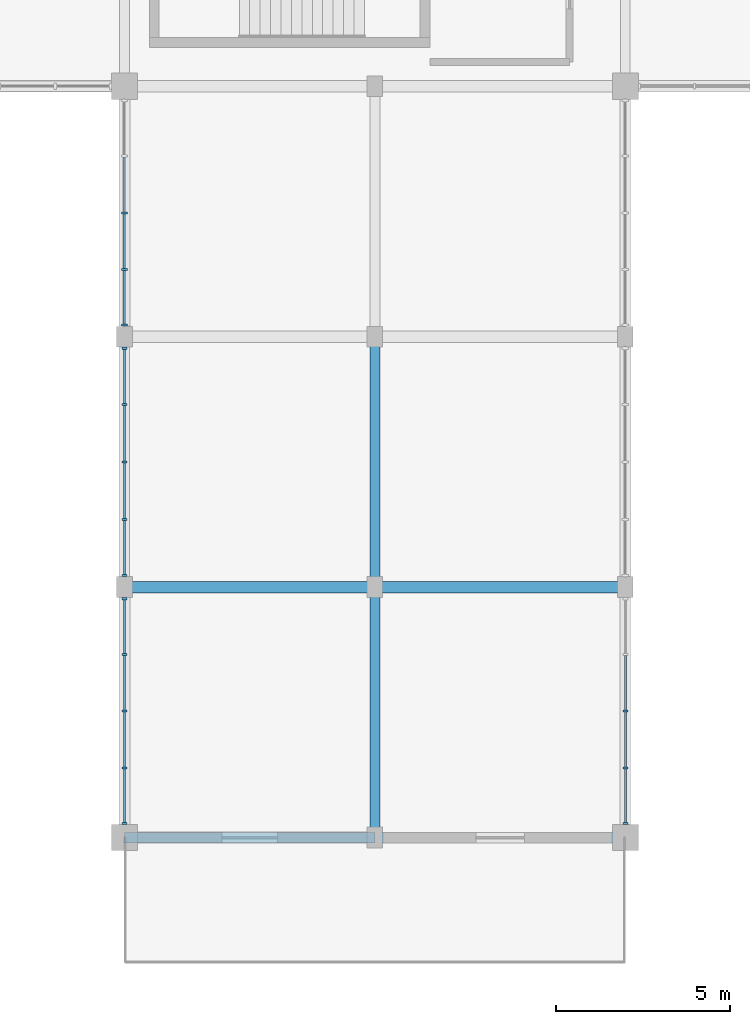
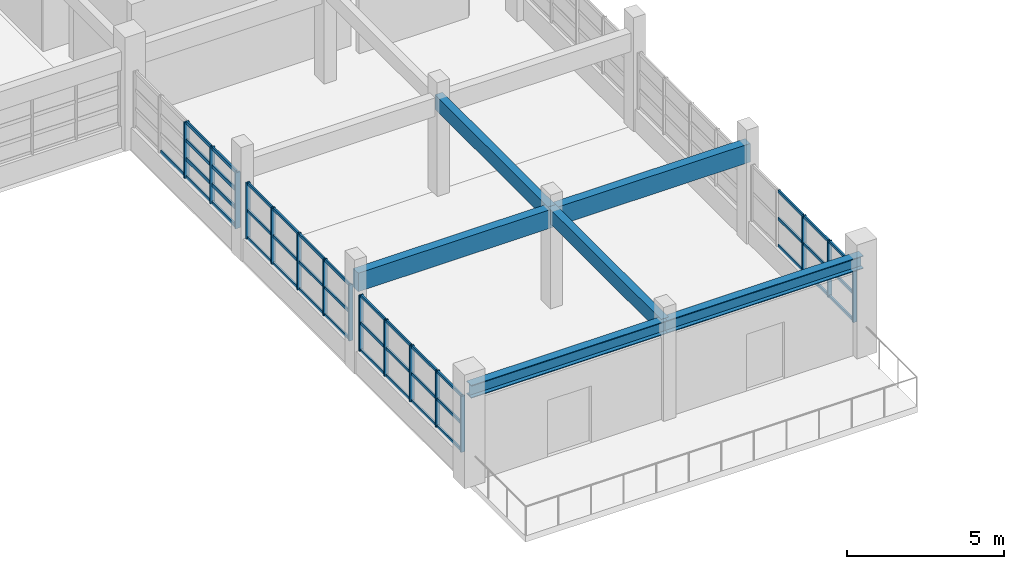
# One storey, part 19 of 69: 58 members, 6 beams, 4 elements without a shape of their own.
"""IFC4 building model written with IfcOpenShell, lengths in metres."""

from ifc_helpers import new_model, si_unit, direction, frame, origin, origin_2d, place, context, subcontext, project, spatial, rectangle, i_section, extrude, material, material_profile, profile_set, type_object, element, aggregate, save


model = new_model("IFC4")

# Units and contexts
model_context = context("Model", 3, precision=1e-05, world=origin(), true_north=direction((0.0, 1.0)))
body_context = subcontext(model_context, "Body", "Model", "MODEL_VIEW")
ifc_project = project(units=[si_unit("LENGTHUNIT", "METRE"), si_unit("AREAUNIT", "SQUARE_METRE"), si_unit("VOLUMEUNIT", "CUBIC_METRE"), si_unit("PLANEANGLEUNIT", "RADIAN"), si_unit("MASSUNIT", "GRAM", prefix="KILO")], contexts=[model_context])

# Site, building, storey
site_placement = place(None, origin())
site = spatial("IfcSite", under=ifc_project, at=site_placement, CompositionType="ELEMENT")
building_placement = place(site_placement, origin())
building = spatial("IfcBuilding", under=site, at=building_placement, Name="Nzembalo Square Collegiate School", CompositionType="ELEMENT")
storey_placement = place(building_placement, frame((0.0, 0.0, 5.10009765625)))
storey = spatial("IfcBuildingStorey", under=building, at=storey_placement, Name="L01", CompositionType="ELEMENT", Elevation=5.10009765625)

# Beams
ifc_material_1 = material(Name="Glulam GL32h", Category="wood")
ifc_material_profile_1 = material_profile(ifc_material_1, rectangle(XDim=0.320068359375, YDim=0.719970703125, at=origin_2d()), Name="GL32h 320x720")
ifc_profile_set_1 = profile_set([ifc_material_profile_1], Name="Glulam GL32h")
beam_type_1 = type_object("IfcBeamType", Name="B03", PredefinedType="BEAM", material=ifc_profile_set_1)
for number, where, z_axis, x_axis, name in (
    (1, (76.800048828125, 90.0, 3.389892578125), (1.0, 0.0, 0.0), (0.0, 1.0, 0.0), "Beam B03 L01"),
    (2, (84.0, 90.0, 3.389892578125), (1.0, 0.0, 0.0), (0.0, 1.0, 0.0), "Beam B03 L01"),
):
    element("IfcBeam", number, at=place(storey_placement, frame(where, z_axis=z_axis, x_axis=x_axis)), inside=storey, type_object=beam_type_1, Name=name, PredefinedType="BEAM", context=body_context, shape_type="SweptSolid", body=[
        extrude(rectangle(XDim=0.320068359375, YDim=0.719970703125, at=origin_2d()), origin(), (0.0, 0.0, 1.0), 7.199951171875),
    ])
ifc_material_2 = material(Name="Glulam GL28h", Category="wood")
ifc_material_profile_2 = material_profile(ifc_material_2, rectangle(XDim=0.280029296875, YDim=0.56005859375, at=origin_2d()), Name="GL28h 280x560")
ifc_profile_set_2 = profile_set([ifc_material_profile_2], Name="Glulam GL28h")
beam_type_2 = type_object("IfcBeamType", Name="B05", PredefinedType="BEAM", material=ifc_profile_set_2)
for number, where, z_axis, x_axis, name in (
    (3, (84.0, 82.800048828125, 3.469970703125), (0.0, 1.0, 0.0), (-1.0, 0.0, 0.0), "Beam B05 L01"),
    (4, (84.0, 90.0, 3.469970703125), (0.0, 1.0, 0.0), (-1.0, 0.0, 0.0), "Beam B05 L01"),
):
    element("IfcBeam", number, at=place(storey_placement, frame(where, z_axis=z_axis, x_axis=x_axis)), inside=storey, type_object=beam_type_2, Name=name, PredefinedType="BEAM", context=body_context, shape_type="SweptSolid", body=[
        extrude(rectangle(XDim=0.280029296875, YDim=0.56005859375, at=origin_2d()), origin(), (0.0, 0.0, 1.0), 7.199951171875),
    ])
ifc_material_3 = material(Name="Steel S355", Category="steel")
ifc_material_profile_3 = material_profile(ifc_material_3, i_section(OverallWidth=0.300048828125, OverallDepth=0.5, WebThickness=0.014404296875, FlangeThickness=0.028076171875, at=origin_2d()), Name="HEB 500")
ifc_profile_set_3 = profile_set([ifc_material_profile_3], Name="Steel S355")
beam_type_3 = type_object("IfcBeamType", Name="B07", PredefinedType="BEAM", material=ifc_profile_set_3)
for number, where, z_axis, x_axis, name in (
    (5, (76.800048828125, 82.800048828125, 3.5), (1.0, 0.0, 0.0), (0.0, 1.0, 0.0), "Beam B07 L01"),
    (6, (84.0, 82.800048828125, 3.5), (1.0, 0.0, 0.0), (0.0, 1.0, 0.0), "Beam B07 L01"),
):
    element("IfcBeam", number, at=place(storey_placement, frame(where, z_axis=z_axis, x_axis=x_axis)), inside=storey, type_object=beam_type_3, Name=name, PredefinedType="BEAM", context=body_context, shape_type="SweptSolid", body=[
        extrude(i_section(OverallWidth=0.300048828125, OverallDepth=0.5, WebThickness=0.014404296875, FlangeThickness=0.028076171875, at=origin_2d()), origin(), (0.0, 0.0, 1.0), 7.199951171875),
    ])

# Curtain wall, members
ifc_material_4 = material(Name="Aluminium 6060-T66", Category="aluminium")
curtain_wall_type_1 = type_object("IfcCurtainWallType", Name="CW-05", PredefinedType="USERDEFINED", material=ifc_material_4)
curtain_wall_1_placement = place(storey_placement, origin())
curtain_wall_1 = element("IfcCurtainWall", 7, at=curtain_wall_1_placement, inside=storey, type_object=curtain_wall_type_1, Name="Curtain wall CW-05 cw:L01:084", ObjectType="LANCET", PredefinedType="USERDEFINED")
ifc_material_5 = material(Name="Aluminium 6060-T66", Category="aluminium")
ifc_material_profile_4 = material_profile(ifc_material_5, rectangle(XDim=0.06005859375, YDim=0.179931640625, at=origin_2d()), Name="ALU M60x180")
ifc_profile_set_4 = profile_set([ifc_material_profile_4], Name="Aluminium 6060-T66")
member_type_1 = type_object("IfcMemberType", Name="ML01", PredefinedType="MULLION", material=ifc_profile_set_4)
member_1_placement = place(storey_placement, frame((76.800048828125, 97.531982421875, 0.849853515625), z_axis=(0.0, 0.0, 1.0), x_axis=(0.0, 1.0, 0.0)))
member_1 = element("IfcMember", 8, at=member_1_placement, type_object=member_type_1, Name="ML01 mullion 1", PredefinedType="MULLION", context=body_context, shape_type="SweptSolid", body=[
    extrude(rectangle(XDim=0.06005859375, YDim=0.179931640625, at=origin_2d()), origin(), (0.0, 0.0, 1.0), 2.174072265625),
])
member_2_placement = place(storey_placement, frame((76.800048828125, 99.13232421875, 0.849853515625), z_axis=(0.0, 0.0, 1.0), x_axis=(0.0, 1.0, 0.0)))
member_2 = element("IfcMember", 9, at=member_2_placement, type_object=member_type_1, Name="ML01 mullion 2", PredefinedType="MULLION", context=body_context, shape_type="SweptSolid", body=[
    extrude(rectangle(XDim=0.06005859375, YDim=0.179931640625, at=origin_2d()), origin(), (0.0, 0.0, 1.0), 2.174072265625),
])
member_3_placement = place(storey_placement, frame((76.800048828125, 100.762451171875, 0.849853515625), z_axis=(0.0, 0.0, 1.0), x_axis=(0.0, 1.0, 0.0)))
member_3 = element("IfcMember", 10, at=member_3_placement, type_object=member_type_1, Name="ML01 mullion 3", PredefinedType="MULLION", context=body_context, shape_type="SweptSolid", body=[
    extrude(rectangle(XDim=0.06005859375, YDim=0.179931640625, at=origin_2d()), origin(), (0.0, 0.0, 1.0), 2.174072265625),
])

ifc_material_6 = material(Name="Aluminium 6060-T66", Category="aluminium")
curtain_wall_type_2 = type_object("IfcCurtainWallType", Name="CW-08", PredefinedType="USERDEFINED", material=ifc_material_6)
curtain_wall_2_placement = place(storey_placement, origin())
curtain_wall_2 = element("IfcCurtainWall", 11, at=curtain_wall_2_placement, inside=storey, type_object=curtain_wall_type_2, Name="Curtain wall CW-08 cw:L01:079", ObjectType="LANCET", PredefinedType="USERDEFINED")
ifc_material_7 = material(Name="Aluminium 6060-T66", Category="aluminium")
ifc_material_profile_5 = material_profile(ifc_material_7, rectangle(XDim=0.06005859375, YDim=0.14990234375, at=origin_2d()), Name="ALU M60x150")
ifc_profile_set_5 = profile_set([ifc_material_profile_5], Name="Aluminium 6060-T66")
member_type_2 = type_object("IfcMemberType", Name="ML02", PredefinedType="MULLION", material=ifc_profile_set_5)
member_4_placement = place(storey_placement, frame((91.199951171875, 83.20703125, 0.849853515625), z_axis=(0.0, 0.0, 1.0), x_axis=(0.0, 1.0, 0.0)))
member_4 = element("IfcMember", 12, at=member_4_placement, type_object=member_type_2, Name="ML02 mullion 1", PredefinedType="MULLION", context=body_context, shape_type="SweptSolid", body=[
    extrude(rectangle(XDim=0.06005859375, YDim=0.14990234375, at=origin_2d()), origin(), (0.0, 0.0, 1.0), 2.174072265625),
])
member_5_placement = place(storey_placement, frame((91.199951171875, 84.80712890625, 0.849853515625), z_axis=(0.0, 0.0, 1.0), x_axis=(0.0, 1.0, 0.0)))
member_5 = element("IfcMember", 13, at=member_5_placement, type_object=member_type_2, Name="ML02 mullion 2", PredefinedType="MULLION", context=body_context, shape_type="SweptSolid", body=[
    extrude(rectangle(XDim=0.06005859375, YDim=0.14990234375, at=origin_2d()), origin(), (0.0, 0.0, 1.0), 2.174072265625),
])
member_6_placement = place(storey_placement, frame((91.199951171875, 86.4375, 0.849853515625), z_axis=(0.0, 0.0, 1.0), x_axis=(0.0, 1.0, 0.0)))
member_6 = element("IfcMember", 14, at=member_6_placement, type_object=member_type_2, Name="ML02 mullion 3", PredefinedType="MULLION", context=body_context, shape_type="SweptSolid", body=[
    extrude(rectangle(XDim=0.06005859375, YDim=0.14990234375, at=origin_2d()), origin(), (0.0, 0.0, 1.0), 2.174072265625),
])

ifc_material_8 = material(Name="Aluminium 6060-T66", Category="aluminium")
curtain_wall_type_3 = type_object("IfcCurtainWallType", Name="CW-03", PredefinedType="USERDEFINED", material=ifc_material_8)
curtain_wall_3_placement = place(storey_placement, origin())
curtain_wall_3 = element("IfcCurtainWall", 15, at=curtain_wall_3_placement, inside=storey, type_object=curtain_wall_type_3, Name="Curtain wall CW-03 cw:L01:082", ObjectType="UNITISED", PredefinedType="USERDEFINED")
member_7_placement = place(storey_placement, frame((76.800048828125, 83.20703125, 0.849853515625), z_axis=(0.0, 0.0, 1.0), x_axis=(0.0, 1.0, 0.0)))
member_7 = element("IfcMember", 16, at=member_7_placement, type_object=member_type_2, Name="ML02 mullion 1", PredefinedType="MULLION", context=body_context, shape_type="SweptSolid", body=[
    extrude(rectangle(XDim=0.06005859375, YDim=0.14990234375, at=origin_2d()), origin(), (0.0, 0.0, 1.0), 2.174072265625),
])
member_8_placement = place(storey_placement, frame((76.800048828125, 84.80712890625, 0.849853515625), z_axis=(0.0, 0.0, 1.0), x_axis=(0.0, 1.0, 0.0)))
member_8 = element("IfcMember", 17, at=member_8_placement, type_object=member_type_2, Name="ML02 mullion 2", PredefinedType="MULLION", context=body_context, shape_type="SweptSolid", body=[
    extrude(rectangle(XDim=0.06005859375, YDim=0.14990234375, at=origin_2d()), origin(), (0.0, 0.0, 1.0), 2.174072265625),
])
member_9_placement = place(storey_placement, frame((76.800048828125, 86.4375, 0.849853515625), z_axis=(0.0, 0.0, 1.0), x_axis=(0.0, 1.0, 0.0)))
member_9 = element("IfcMember", 18, at=member_9_placement, type_object=member_type_2, Name="ML02 mullion 3", PredefinedType="MULLION", context=body_context, shape_type="SweptSolid", body=[
    extrude(rectangle(XDim=0.06005859375, YDim=0.14990234375, at=origin_2d()), origin(), (0.0, 0.0, 1.0), 2.174072265625),
])
member_10_placement = place(storey_placement, frame((76.800048828125, 88.06787109375, 0.849853515625), z_axis=(0.0, 0.0, 1.0), x_axis=(0.0, 1.0, 0.0)))
member_10 = element("IfcMember", 19, at=member_10_placement, type_object=member_type_2, Name="ML02 mullion 4", PredefinedType="MULLION", context=body_context, shape_type="SweptSolid", body=[
    extrude(rectangle(XDim=0.06005859375, YDim=0.14990234375, at=origin_2d()), origin(), (0.0, 0.0, 1.0), 2.174072265625),
])
member_11_placement = place(storey_placement, frame((76.800048828125, 89.66796875, 0.849853515625), z_axis=(0.0, 0.0, 1.0), x_axis=(0.0, 1.0, 0.0)))
member_11 = element("IfcMember", 20, at=member_11_placement, type_object=member_type_2, Name="ML02 mullion 5", PredefinedType="MULLION", context=body_context, shape_type="SweptSolid", body=[
    extrude(rectangle(XDim=0.06005859375, YDim=0.14990234375, at=origin_2d()), origin(), (0.0, 0.0, 1.0), 2.174072265625),
])

ifc_material_9 = material(Name="Aluminium 6060-T66", Category="aluminium")
curtain_wall_type_4 = type_object("IfcCurtainWallType", Name="CW-04", PredefinedType="USERDEFINED", material=ifc_material_9)
curtain_wall_4_placement = place(storey_placement, origin())
curtain_wall_4 = element("IfcCurtainWall", 21, at=curtain_wall_4_placement, inside=storey, type_object=curtain_wall_type_4, Name="Curtain wall CW-04 cw:L01:083", ObjectType="UNITISED", PredefinedType="USERDEFINED")
member_12_placement = place(storey_placement, frame((76.800048828125, 90.33203125, 0.849853515625), z_axis=(0.0, 0.0, 1.0), x_axis=(0.0, 1.0, 0.0)))
member_12 = element("IfcMember", 22, at=member_12_placement, type_object=member_type_2, Name="ML02 mullion 1", PredefinedType="MULLION", context=body_context, shape_type="SweptSolid", body=[
    extrude(rectangle(XDim=0.06005859375, YDim=0.14990234375, at=origin_2d()), origin(), (0.0, 0.0, 1.0), 2.174072265625),
])
member_13_placement = place(storey_placement, frame((76.800048828125, 91.950927734375, 0.849853515625), z_axis=(0.0, 0.0, 1.0), x_axis=(0.0, 1.0, 0.0)))
member_13 = element("IfcMember", 23, at=member_13_placement, type_object=member_type_2, Name="ML02 mullion 2", PredefinedType="MULLION", context=body_context, shape_type="SweptSolid", body=[
    extrude(rectangle(XDim=0.06005859375, YDim=0.14990234375, at=origin_2d()), origin(), (0.0, 0.0, 1.0), 2.174072265625),
])
member_14_placement = place(storey_placement, frame((76.800048828125, 93.60009765625, 0.849853515625), z_axis=(0.0, 0.0, 1.0), x_axis=(0.0, 1.0, 0.0)))
member_14 = element("IfcMember", 24, at=member_14_placement, type_object=member_type_2, Name="ML02 mullion 3", PredefinedType="MULLION", context=body_context, shape_type="SweptSolid", body=[
    extrude(rectangle(XDim=0.06005859375, YDim=0.14990234375, at=origin_2d()), origin(), (0.0, 0.0, 1.0), 2.174072265625),
])
member_15_placement = place(storey_placement, frame((76.800048828125, 95.2490234375, 0.849853515625), z_axis=(0.0, 0.0, 1.0), x_axis=(0.0, 1.0, 0.0)))
member_15 = element("IfcMember", 25, at=member_15_placement, type_object=member_type_2, Name="ML02 mullion 4", PredefinedType="MULLION", context=body_context, shape_type="SweptSolid", body=[
    extrude(rectangle(XDim=0.06005859375, YDim=0.14990234375, at=origin_2d()), origin(), (0.0, 0.0, 1.0), 2.174072265625),
])
member_16_placement = place(storey_placement, frame((76.800048828125, 96.867919921875, 0.849853515625), z_axis=(0.0, 0.0, 1.0), x_axis=(0.0, 1.0, 0.0)))
member_16 = element("IfcMember", 26, at=member_16_placement, type_object=member_type_2, Name="ML02 mullion 5", PredefinedType="MULLION", context=body_context, shape_type="SweptSolid", body=[
    extrude(rectangle(XDim=0.06005859375, YDim=0.14990234375, at=origin_2d()), origin(), (0.0, 0.0, 1.0), 2.174072265625),
])

# Member
ifc_material_10 = material(Name="Aluminium 6060-T66", Category="aluminium")
ifc_material_profile_6 = material_profile(ifc_material_10, rectangle(XDim=0.06005859375, YDim=0.139892578125, at=origin_2d()), Name="ALU T60x140")
ifc_profile_set_6 = profile_set([ifc_material_profile_6], Name="Aluminium 6060-T66")
member_type_3 = type_object("IfcMemberType", Name="TR01", PredefinedType="USERDEFINED", material=ifc_profile_set_6)
member_17_placement = place(storey_placement, frame((76.800048828125, 97.56201171875, 0.8798828125), z_axis=(0.0, 1.0, 0.0), x_axis=(-1.0, 0.0, 0.0)))
member_17 = element("IfcMember", 27, at=member_17_placement, type_object=member_type_3, Name="TR01 transom 1-1", ObjectType="TRANSOM", PredefinedType="USERDEFINED", context=body_context, shape_type="SweptSolid", body=[
    extrude(rectangle(XDim=0.06005859375, YDim=0.139892578125, at=origin_2d()), origin(), (0.0, 0.0, 1.0), 1.540283203125),
])

member_18_placement = place(storey_placement, frame((76.800048828125, 99.162353515625, 0.8798828125), z_axis=(0.0, 1.0, 0.0), x_axis=(-1.0, 0.0, 0.0)))
member_18 = element("IfcMember", 28, at=member_18_placement, type_object=member_type_3, Name="TR01 transom 1-2", ObjectType="TRANSOM", PredefinedType="USERDEFINED", context=body_context, shape_type="SweptSolid", body=[
    extrude(rectangle(XDim=0.06005859375, YDim=0.139892578125, at=origin_2d()), origin(), (0.0, 0.0, 1.0), 1.570068359375),
])

member_19_placement = place(storey_placement, frame((76.800048828125, 100.79248046875, 0.8798828125), z_axis=(0.0, 1.0, 0.0), x_axis=(-1.0, 0.0, 0.0)))
member_19 = element("IfcMember", 29, at=member_19_placement, type_object=member_type_3, Name="TR01 transom 1-3", ObjectType="TRANSOM", PredefinedType="USERDEFINED", context=body_context, shape_type="SweptSolid", body=[
    extrude(rectangle(XDim=0.06005859375, YDim=0.139892578125, at=origin_2d()), origin(), (0.0, 0.0, 1.0), 1.5703125),
])

member_20_placement = place(storey_placement, frame((76.800048828125, 97.56201171875, 1.574462890625), z_axis=(0.0, 1.0, 0.0), x_axis=(-1.0, 0.0, 0.0)))
member_20 = element("IfcMember", 30, at=member_20_placement, type_object=member_type_3, Name="TR01 transom 2-1", ObjectType="TRANSOM", PredefinedType="USERDEFINED", context=body_context, shape_type="SweptSolid", body=[
    extrude(rectangle(XDim=0.06005859375, YDim=0.139892578125, at=origin_2d()), origin(), (0.0, 0.0, 1.0), 1.540283203125),
])

member_21_placement = place(storey_placement, frame((76.800048828125, 99.162353515625, 1.574462890625), z_axis=(0.0, 1.0, 0.0), x_axis=(-1.0, 0.0, 0.0)))
member_21 = element("IfcMember", 31, at=member_21_placement, type_object=member_type_3, Name="TR01 transom 2-2", ObjectType="TRANSOM", PredefinedType="USERDEFINED", context=body_context, shape_type="SweptSolid", body=[
    extrude(rectangle(XDim=0.06005859375, YDim=0.139892578125, at=origin_2d()), origin(), (0.0, 0.0, 1.0), 1.570068359375),
])

member_22_placement = place(storey_placement, frame((76.800048828125, 97.56201171875, 2.29931640625), z_axis=(0.0, 1.0, 0.0), x_axis=(-1.0, 0.0, 0.0)))
member_22 = element("IfcMember", 32, at=member_22_placement, type_object=member_type_3, Name="TR01 transom 3-1", ObjectType="TRANSOM", PredefinedType="USERDEFINED", context=body_context, shape_type="SweptSolid", body=[
    extrude(rectangle(XDim=0.06005859375, YDim=0.139892578125, at=origin_2d()), origin(), (0.0, 0.0, 1.0), 1.540283203125),
])

member_23_placement = place(storey_placement, frame((76.800048828125, 99.162353515625, 2.29931640625), z_axis=(0.0, 1.0, 0.0), x_axis=(-1.0, 0.0, 0.0)))
member_23 = element("IfcMember", 33, at=member_23_placement, type_object=member_type_3, Name="TR01 transom 3-2", ObjectType="TRANSOM", PredefinedType="USERDEFINED", context=body_context, shape_type="SweptSolid", body=[
    extrude(rectangle(XDim=0.06005859375, YDim=0.139892578125, at=origin_2d()), origin(), (0.0, 0.0, 1.0), 1.570068359375),
])

member_24_placement = place(storey_placement, frame((76.800048828125, 97.56201171875, 2.993896484375), z_axis=(0.0, 1.0, 0.0), x_axis=(-1.0, 0.0, 0.0)))
member_24 = element("IfcMember", 34, at=member_24_placement, type_object=member_type_3, Name="TR01 transom 4-1", ObjectType="TRANSOM", PredefinedType="USERDEFINED", context=body_context, shape_type="SweptSolid", body=[
    extrude(rectangle(XDim=0.06005859375, YDim=0.139892578125, at=origin_2d()), origin(), (0.0, 0.0, 1.0), 1.540283203125),
])

member_25_placement = place(storey_placement, frame((76.800048828125, 99.162353515625, 2.993896484375), z_axis=(0.0, 1.0, 0.0), x_axis=(-1.0, 0.0, 0.0)))
member_25 = element("IfcMember", 35, at=member_25_placement, type_object=member_type_3, Name="TR01 transom 4-2", ObjectType="TRANSOM", PredefinedType="USERDEFINED", context=body_context, shape_type="SweptSolid", body=[
    extrude(rectangle(XDim=0.06005859375, YDim=0.139892578125, at=origin_2d()), origin(), (0.0, 0.0, 1.0), 1.570068359375),
])

aggregate(curtain_wall_1, [member_1, member_2, member_3, member_17, member_18, member_19, member_20, member_21, member_22, member_23, member_24, member_25])

ifc_material_11 = material(Name="Aluminium 6060-T66", Category="aluminium")
ifc_material_profile_7 = material_profile(ifc_material_11, rectangle(XDim=0.06005859375, YDim=0.110107421875, at=origin_2d()), Name="ALU T60x110")
ifc_profile_set_7 = profile_set([ifc_material_profile_7], Name="Aluminium 6060-T66")
member_type_4 = type_object("IfcMemberType", Name="TR02", PredefinedType="USERDEFINED", material=ifc_profile_set_7)
member_26_placement = place(storey_placement, frame((91.199951171875, 83.237060546875, 0.8798828125), z_axis=(0.0, 1.0, 0.0), x_axis=(-1.0, 0.0, 0.0)))
member_26 = element("IfcMember", 36, at=member_26_placement, type_object=member_type_4, Name="TR02 transom 1-1", ObjectType="TRANSOM", PredefinedType="USERDEFINED", context=body_context, shape_type="SweptSolid", body=[
    extrude(rectangle(XDim=0.06005859375, YDim=0.110107421875, at=origin_2d()), origin(), (0.0, 0.0, 1.0), 1.540283203125),
])

member_27_placement = place(storey_placement, frame((91.199951171875, 84.837158203125, 0.8798828125), z_axis=(0.0, 1.0, 0.0), x_axis=(-1.0, 0.0, 0.0)))
member_27 = element("IfcMember", 37, at=member_27_placement, type_object=member_type_4, Name="TR02 transom 1-2", ObjectType="TRANSOM", PredefinedType="USERDEFINED", context=body_context, shape_type="SweptSolid", body=[
    extrude(rectangle(XDim=0.06005859375, YDim=0.110107421875, at=origin_2d()), origin(), (0.0, 0.0, 1.0), 1.5703125),
])

member_28_placement = place(storey_placement, frame((91.199951171875, 86.467529296875, 0.8798828125), z_axis=(0.0, 1.0, 0.0), x_axis=(-1.0, 0.0, 0.0)))
member_28 = element("IfcMember", 38, at=member_28_placement, type_object=member_type_4, Name="TR02 transom 1-3", ObjectType="TRANSOM", PredefinedType="USERDEFINED", context=body_context, shape_type="SweptSolid", body=[
    extrude(rectangle(XDim=0.06005859375, YDim=0.110107421875, at=origin_2d()), origin(), (0.0, 0.0, 1.0), 1.5703125),
])

member_29_placement = place(storey_placement, frame((91.199951171875, 83.237060546875, 1.93701171875), z_axis=(0.0, 1.0, 0.0), x_axis=(-1.0, 0.0, 0.0)))
member_29 = element("IfcMember", 39, at=member_29_placement, type_object=member_type_4, Name="TR02 transom 2-1", ObjectType="TRANSOM", PredefinedType="USERDEFINED", context=body_context, shape_type="SweptSolid", body=[
    extrude(rectangle(XDim=0.06005859375, YDim=0.110107421875, at=origin_2d()), origin(), (0.0, 0.0, 1.0), 1.540283203125),
])

member_30_placement = place(storey_placement, frame((91.199951171875, 84.837158203125, 1.93701171875), z_axis=(0.0, 1.0, 0.0), x_axis=(-1.0, 0.0, 0.0)))
member_30 = element("IfcMember", 40, at=member_30_placement, type_object=member_type_4, Name="TR02 transom 2-2", ObjectType="TRANSOM", PredefinedType="USERDEFINED", context=body_context, shape_type="SweptSolid", body=[
    extrude(rectangle(XDim=0.06005859375, YDim=0.110107421875, at=origin_2d()), origin(), (0.0, 0.0, 1.0), 1.5703125),
])

member_31_placement = place(storey_placement, frame((91.199951171875, 86.467529296875, 1.93701171875), z_axis=(0.0, 1.0, 0.0), x_axis=(-1.0, 0.0, 0.0)))
member_31 = element("IfcMember", 41, at=member_31_placement, type_object=member_type_4, Name="TR02 transom 2-3", ObjectType="TRANSOM", PredefinedType="USERDEFINED", context=body_context, shape_type="SweptSolid", body=[
    extrude(rectangle(XDim=0.06005859375, YDim=0.110107421875, at=origin_2d()), origin(), (0.0, 0.0, 1.0), 1.5703125),
])

member_32_placement = place(storey_placement, frame((91.199951171875, 83.237060546875, 2.993896484375), z_axis=(0.0, 1.0, 0.0), x_axis=(-1.0, 0.0, 0.0)))
member_32 = element("IfcMember", 42, at=member_32_placement, type_object=member_type_4, Name="TR02 transom 3-1", ObjectType="TRANSOM", PredefinedType="USERDEFINED", context=body_context, shape_type="SweptSolid", body=[
    extrude(rectangle(XDim=0.06005859375, YDim=0.110107421875, at=origin_2d()), origin(), (0.0, 0.0, 1.0), 1.540283203125),
])

member_33_placement = place(storey_placement, frame((91.199951171875, 84.837158203125, 2.993896484375), z_axis=(0.0, 1.0, 0.0), x_axis=(-1.0, 0.0, 0.0)))
member_33 = element("IfcMember", 43, at=member_33_placement, type_object=member_type_4, Name="TR02 transom 3-2", ObjectType="TRANSOM", PredefinedType="USERDEFINED", context=body_context, shape_type="SweptSolid", body=[
    extrude(rectangle(XDim=0.06005859375, YDim=0.110107421875, at=origin_2d()), origin(), (0.0, 0.0, 1.0), 1.5703125),
])

member_34_placement = place(storey_placement, frame((91.199951171875, 86.467529296875, 2.993896484375), z_axis=(0.0, 1.0, 0.0), x_axis=(-1.0, 0.0, 0.0)))
member_34 = element("IfcMember", 44, at=member_34_placement, type_object=member_type_4, Name="TR02 transom 3-3", ObjectType="TRANSOM", PredefinedType="USERDEFINED", context=body_context, shape_type="SweptSolid", body=[
    extrude(rectangle(XDim=0.06005859375, YDim=0.110107421875, at=origin_2d()), origin(), (0.0, 0.0, 1.0), 1.5703125),
])

aggregate(curtain_wall_2, [member_4, member_5, member_6, member_26, member_27, member_28, member_29, member_30, member_31, member_32, member_33, member_34])

member_35_placement = place(storey_placement, frame((76.800048828125, 83.237060546875, 0.8798828125), z_axis=(0.0, 1.0, 0.0), x_axis=(-1.0, 0.0, 0.0)))
member_35 = element("IfcMember", 45, at=member_35_placement, type_object=member_type_4, Name="TR02 transom 1-1", ObjectType="TRANSOM", PredefinedType="USERDEFINED", context=body_context, shape_type="SweptSolid", body=[
    extrude(rectangle(XDim=0.06005859375, YDim=0.110107421875, at=origin_2d()), origin(), (0.0, 0.0, 1.0), 1.540283203125),
])

member_36_placement = place(storey_placement, frame((76.800048828125, 84.837158203125, 0.8798828125), z_axis=(0.0, 1.0, 0.0), x_axis=(-1.0, 0.0, 0.0)))
member_36 = element("IfcMember", 46, at=member_36_placement, type_object=member_type_4, Name="TR02 transom 1-2", ObjectType="TRANSOM", PredefinedType="USERDEFINED", context=body_context, shape_type="SweptSolid", body=[
    extrude(rectangle(XDim=0.06005859375, YDim=0.110107421875, at=origin_2d()), origin(), (0.0, 0.0, 1.0), 1.5703125),
])

member_37_placement = place(storey_placement, frame((76.800048828125, 86.467529296875, 0.8798828125), z_axis=(0.0, 1.0, 0.0), x_axis=(-1.0, 0.0, 0.0)))
member_37 = element("IfcMember", 47, at=member_37_placement, type_object=member_type_4, Name="TR02 transom 1-3", ObjectType="TRANSOM", PredefinedType="USERDEFINED", context=body_context, shape_type="SweptSolid", body=[
    extrude(rectangle(XDim=0.06005859375, YDim=0.110107421875, at=origin_2d()), origin(), (0.0, 0.0, 1.0), 1.5703125),
])

member_38_placement = place(storey_placement, frame((76.800048828125, 88.09765625, 0.8798828125), z_axis=(0.0, 1.0, 0.0), x_axis=(-1.0, 0.0, 0.0)))
member_38 = element("IfcMember", 48, at=member_38_placement, type_object=member_type_4, Name="TR02 transom 1-4", ObjectType="TRANSOM", PredefinedType="USERDEFINED", context=body_context, shape_type="SweptSolid", body=[
    extrude(rectangle(XDim=0.06005859375, YDim=0.110107421875, at=origin_2d()), origin(), (0.0, 0.0, 1.0), 1.540283203125),
])

member_39_placement = place(storey_placement, frame((76.800048828125, 83.237060546875, 1.93701171875), z_axis=(0.0, 1.0, 0.0), x_axis=(-1.0, 0.0, 0.0)))
member_39 = element("IfcMember", 49, at=member_39_placement, type_object=member_type_4, Name="TR02 transom 2-1", ObjectType="TRANSOM", PredefinedType="USERDEFINED", context=body_context, shape_type="SweptSolid", body=[
    extrude(rectangle(XDim=0.06005859375, YDim=0.110107421875, at=origin_2d()), origin(), (0.0, 0.0, 1.0), 1.540283203125),
])

member_40_placement = place(storey_placement, frame((76.800048828125, 84.837158203125, 1.93701171875), z_axis=(0.0, 1.0, 0.0), x_axis=(-1.0, 0.0, 0.0)))
member_40 = element("IfcMember", 50, at=member_40_placement, type_object=member_type_4, Name="TR02 transom 2-2", ObjectType="TRANSOM", PredefinedType="USERDEFINED", context=body_context, shape_type="SweptSolid", body=[
    extrude(rectangle(XDim=0.06005859375, YDim=0.110107421875, at=origin_2d()), origin(), (0.0, 0.0, 1.0), 1.5703125),
])

member_41_placement = place(storey_placement, frame((76.800048828125, 86.467529296875, 1.93701171875), z_axis=(0.0, 1.0, 0.0), x_axis=(-1.0, 0.0, 0.0)))
member_41 = element("IfcMember", 51, at=member_41_placement, type_object=member_type_4, Name="TR02 transom 2-3", ObjectType="TRANSOM", PredefinedType="USERDEFINED", context=body_context, shape_type="SweptSolid", body=[
    extrude(rectangle(XDim=0.06005859375, YDim=0.110107421875, at=origin_2d()), origin(), (0.0, 0.0, 1.0), 1.5703125),
])

member_42_placement = place(storey_placement, frame((76.800048828125, 88.09765625, 1.93701171875), z_axis=(0.0, 1.0, 0.0), x_axis=(-1.0, 0.0, 0.0)))
member_42 = element("IfcMember", 52, at=member_42_placement, type_object=member_type_4, Name="TR02 transom 2-4", ObjectType="TRANSOM", PredefinedType="USERDEFINED", context=body_context, shape_type="SweptSolid", body=[
    extrude(rectangle(XDim=0.06005859375, YDim=0.110107421875, at=origin_2d()), origin(), (0.0, 0.0, 1.0), 1.540283203125),
])

member_43_placement = place(storey_placement, frame((76.800048828125, 83.237060546875, 2.993896484375), z_axis=(0.0, 1.0, 0.0), x_axis=(-1.0, 0.0, 0.0)))
member_43 = element("IfcMember", 53, at=member_43_placement, type_object=member_type_4, Name="TR02 transom 3-1", ObjectType="TRANSOM", PredefinedType="USERDEFINED", context=body_context, shape_type="SweptSolid", body=[
    extrude(rectangle(XDim=0.06005859375, YDim=0.110107421875, at=origin_2d()), origin(), (0.0, 0.0, 1.0), 1.540283203125),
])

member_44_placement = place(storey_placement, frame((76.800048828125, 84.837158203125, 2.993896484375), z_axis=(0.0, 1.0, 0.0), x_axis=(-1.0, 0.0, 0.0)))
member_44 = element("IfcMember", 54, at=member_44_placement, type_object=member_type_4, Name="TR02 transom 3-2", ObjectType="TRANSOM", PredefinedType="USERDEFINED", context=body_context, shape_type="SweptSolid", body=[
    extrude(rectangle(XDim=0.06005859375, YDim=0.110107421875, at=origin_2d()), origin(), (0.0, 0.0, 1.0), 1.5703125),
])

member_45_placement = place(storey_placement, frame((76.800048828125, 86.467529296875, 2.993896484375), z_axis=(0.0, 1.0, 0.0), x_axis=(-1.0, 0.0, 0.0)))
member_45 = element("IfcMember", 55, at=member_45_placement, type_object=member_type_4, Name="TR02 transom 3-3", ObjectType="TRANSOM", PredefinedType="USERDEFINED", context=body_context, shape_type="SweptSolid", body=[
    extrude(rectangle(XDim=0.06005859375, YDim=0.110107421875, at=origin_2d()), origin(), (0.0, 0.0, 1.0), 1.5703125),
])

member_46_placement = place(storey_placement, frame((76.800048828125, 88.09765625, 2.993896484375), z_axis=(0.0, 1.0, 0.0), x_axis=(-1.0, 0.0, 0.0)))
member_46 = element("IfcMember", 56, at=member_46_placement, type_object=member_type_4, Name="TR02 transom 3-4", ObjectType="TRANSOM", PredefinedType="USERDEFINED", context=body_context, shape_type="SweptSolid", body=[
    extrude(rectangle(XDim=0.06005859375, YDim=0.110107421875, at=origin_2d()), origin(), (0.0, 0.0, 1.0), 1.540283203125),
])

aggregate(curtain_wall_3, [member_7, member_8, member_9, member_10, member_11, member_35, member_36, member_37, member_38, member_39, member_40, member_41, member_42, member_43, member_44, member_45, member_46])

member_47_placement = place(storey_placement, frame((76.800048828125, 90.362060546875, 0.8798828125), z_axis=(0.0, 1.0, 0.0), x_axis=(-1.0, 0.0, 0.0)))
member_47 = element("IfcMember", 57, at=member_47_placement, type_object=member_type_4, Name="TR02 transom 1-1", ObjectType="TRANSOM", PredefinedType="USERDEFINED", context=body_context, shape_type="SweptSolid", body=[
    extrude(rectangle(XDim=0.06005859375, YDim=0.110107421875, at=origin_2d()), origin(), (0.0, 0.0, 1.0), 1.558837890625),
])

member_48_placement = place(storey_placement, frame((76.800048828125, 91.98095703125, 0.8798828125), z_axis=(0.0, 1.0, 0.0), x_axis=(-1.0, 0.0, 0.0)))
member_48 = element("IfcMember", 58, at=member_48_placement, type_object=member_type_4, Name="TR02 transom 1-2", ObjectType="TRANSOM", PredefinedType="USERDEFINED", context=body_context, shape_type="SweptSolid", body=[
    extrude(rectangle(XDim=0.06005859375, YDim=0.110107421875, at=origin_2d()), origin(), (0.0, 0.0, 1.0), 1.589111328125),
])

member_49_placement = place(storey_placement, frame((76.800048828125, 93.6298828125, 0.8798828125), z_axis=(0.0, 1.0, 0.0), x_axis=(-1.0, 0.0, 0.0)))
member_49 = element("IfcMember", 59, at=member_49_placement, type_object=member_type_4, Name="TR02 transom 1-3", ObjectType="TRANSOM", PredefinedType="USERDEFINED", context=body_context, shape_type="SweptSolid", body=[
    extrude(rectangle(XDim=0.06005859375, YDim=0.110107421875, at=origin_2d()), origin(), (0.0, 0.0, 1.0), 1.589111328125),
])

member_50_placement = place(storey_placement, frame((76.800048828125, 95.279052734375, 0.8798828125), z_axis=(0.0, 1.0, 0.0), x_axis=(-1.0, 0.0, 0.0)))
member_50 = element("IfcMember", 60, at=member_50_placement, type_object=member_type_4, Name="TR02 transom 1-4", ObjectType="TRANSOM", PredefinedType="USERDEFINED", context=body_context, shape_type="SweptSolid", body=[
    extrude(rectangle(XDim=0.06005859375, YDim=0.110107421875, at=origin_2d()), origin(), (0.0, 0.0, 1.0), 1.558837890625),
])

member_51_placement = place(storey_placement, frame((76.800048828125, 90.362060546875, 1.93701171875), z_axis=(0.0, 1.0, 0.0), x_axis=(-1.0, 0.0, 0.0)))
member_51 = element("IfcMember", 61, at=member_51_placement, type_object=member_type_4, Name="TR02 transom 2-1", ObjectType="TRANSOM", PredefinedType="USERDEFINED", context=body_context, shape_type="SweptSolid", body=[
    extrude(rectangle(XDim=0.06005859375, YDim=0.110107421875, at=origin_2d()), origin(), (0.0, 0.0, 1.0), 1.558837890625),
])

member_52_placement = place(storey_placement, frame((76.800048828125, 91.98095703125, 1.93701171875), z_axis=(0.0, 1.0, 0.0), x_axis=(-1.0, 0.0, 0.0)))
member_52 = element("IfcMember", 62, at=member_52_placement, type_object=member_type_4, Name="TR02 transom 2-2", ObjectType="TRANSOM", PredefinedType="USERDEFINED", context=body_context, shape_type="SweptSolid", body=[
    extrude(rectangle(XDim=0.06005859375, YDim=0.110107421875, at=origin_2d()), origin(), (0.0, 0.0, 1.0), 1.589111328125),
])

member_53_placement = place(storey_placement, frame((76.800048828125, 93.6298828125, 1.93701171875), z_axis=(0.0, 1.0, 0.0), x_axis=(-1.0, 0.0, 0.0)))
member_53 = element("IfcMember", 63, at=member_53_placement, type_object=member_type_4, Name="TR02 transom 2-3", ObjectType="TRANSOM", PredefinedType="USERDEFINED", context=body_context, shape_type="SweptSolid", body=[
    extrude(rectangle(XDim=0.06005859375, YDim=0.110107421875, at=origin_2d()), origin(), (0.0, 0.0, 1.0), 1.589111328125),
])

member_54_placement = place(storey_placement, frame((76.800048828125, 95.279052734375, 1.93701171875), z_axis=(0.0, 1.0, 0.0), x_axis=(-1.0, 0.0, 0.0)))
member_54 = element("IfcMember", 64, at=member_54_placement, type_object=member_type_4, Name="TR02 transom 2-4", ObjectType="TRANSOM", PredefinedType="USERDEFINED", context=body_context, shape_type="SweptSolid", body=[
    extrude(rectangle(XDim=0.06005859375, YDim=0.110107421875, at=origin_2d()), origin(), (0.0, 0.0, 1.0), 1.558837890625),
])

member_55_placement = place(storey_placement, frame((76.800048828125, 90.362060546875, 2.993896484375), z_axis=(0.0, 1.0, 0.0), x_axis=(-1.0, 0.0, 0.0)))
member_55 = element("IfcMember", 65, at=member_55_placement, type_object=member_type_4, Name="TR02 transom 3-1", ObjectType="TRANSOM", PredefinedType="USERDEFINED", context=body_context, shape_type="SweptSolid", body=[
    extrude(rectangle(XDim=0.06005859375, YDim=0.110107421875, at=origin_2d()), origin(), (0.0, 0.0, 1.0), 1.558837890625),
])

member_56_placement = place(storey_placement, frame((76.800048828125, 91.98095703125, 2.993896484375), z_axis=(0.0, 1.0, 0.0), x_axis=(-1.0, 0.0, 0.0)))
member_56 = element("IfcMember", 66, at=member_56_placement, type_object=member_type_4, Name="TR02 transom 3-2", ObjectType="TRANSOM", PredefinedType="USERDEFINED", context=body_context, shape_type="SweptSolid", body=[
    extrude(rectangle(XDim=0.06005859375, YDim=0.110107421875, at=origin_2d()), origin(), (0.0, 0.0, 1.0), 1.589111328125),
])

member_57_placement = place(storey_placement, frame((76.800048828125, 93.6298828125, 2.993896484375), z_axis=(0.0, 1.0, 0.0), x_axis=(-1.0, 0.0, 0.0)))
member_57 = element("IfcMember", 67, at=member_57_placement, type_object=member_type_4, Name="TR02 transom 3-3", ObjectType="TRANSOM", PredefinedType="USERDEFINED", context=body_context, shape_type="SweptSolid", body=[
    extrude(rectangle(XDim=0.06005859375, YDim=0.110107421875, at=origin_2d()), origin(), (0.0, 0.0, 1.0), 1.589111328125),
])

member_58_placement = place(storey_placement, frame((76.800048828125, 95.279052734375, 2.993896484375), z_axis=(0.0, 1.0, 0.0), x_axis=(-1.0, 0.0, 0.0)))
member_58 = element("IfcMember", 68, at=member_58_placement, type_object=member_type_4, Name="TR02 transom 3-4", ObjectType="TRANSOM", PredefinedType="USERDEFINED", context=body_context, shape_type="SweptSolid", body=[
    extrude(rectangle(XDim=0.06005859375, YDim=0.110107421875, at=origin_2d()), origin(), (0.0, 0.0, 1.0), 1.558837890625),
])

aggregate(curtain_wall_4, [member_12, member_13, member_14, member_15, member_16, member_47, member_48, member_49, member_50, member_51, member_52, member_53, member_54, member_55, member_56, member_57, member_58])

save(model, "model.ifc")
